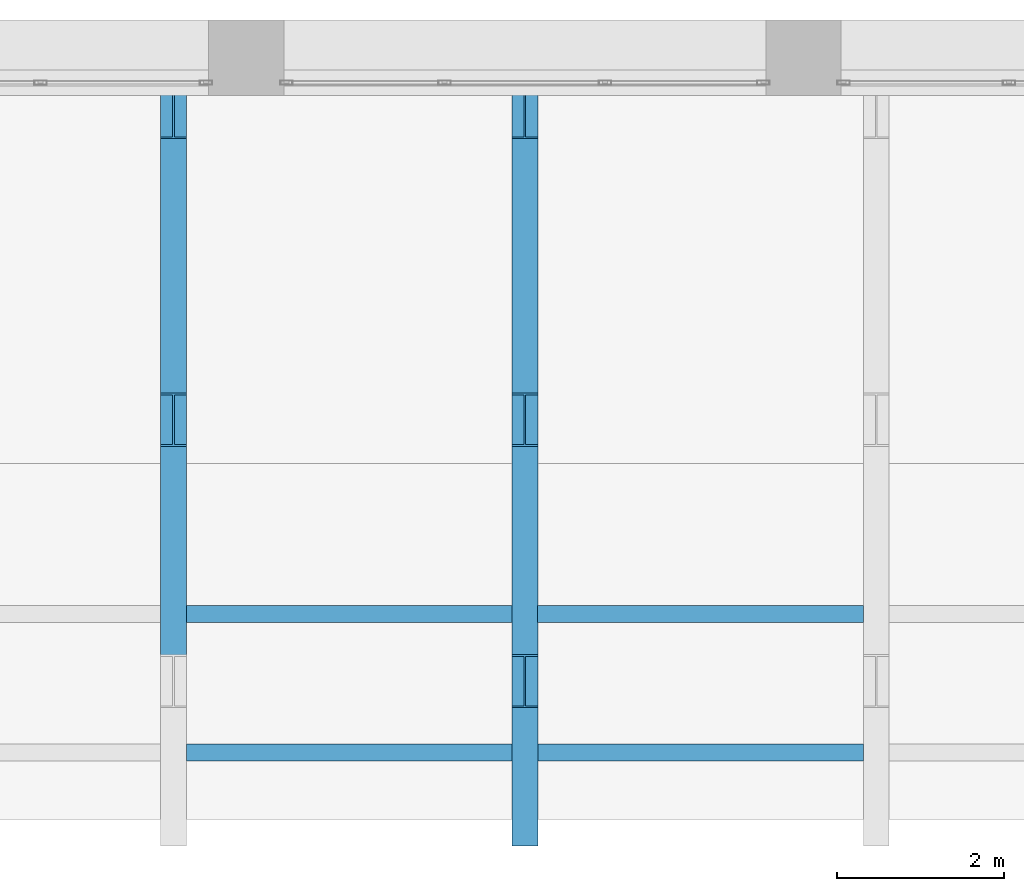
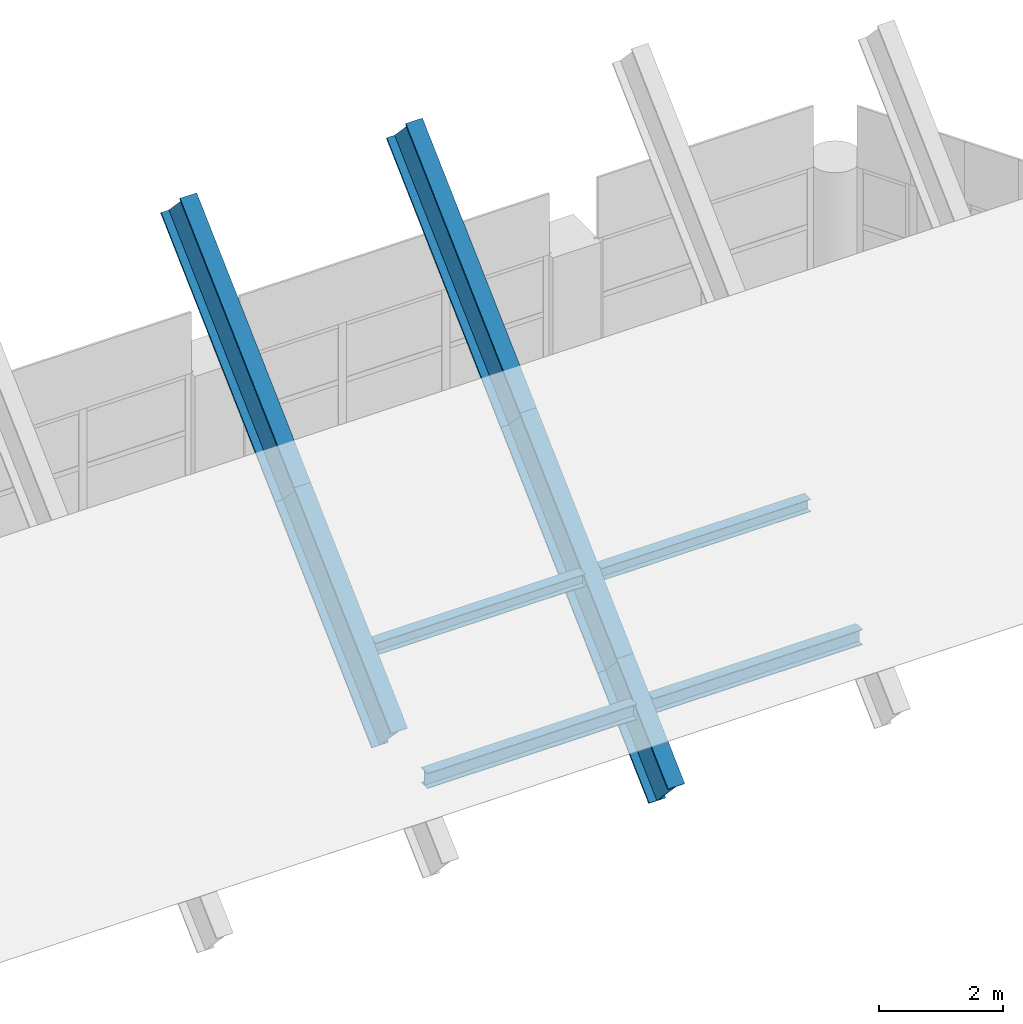
# One storey, part 4 of 11: 9 members.
"""IFC4 building model written with IfcOpenShell, lengths in metres."""

from ifc_helpers import new_model, si_unit, direction, frame, origin, origin_2d, place, context, subcontext, project, spatial, i_section, extrude, material, material_profile, profile_set, type_object, element, save


model = new_model("IFC4")

# Units and contexts
model_context = context("Model", 3, precision=1e-05, world=origin(), true_north=direction((0.0, 1.0)))
body_context = subcontext(model_context, "Body", "Model", "MODEL_VIEW")
ifc_project = project(units=[si_unit("LENGTHUNIT", "METRE"), si_unit("AREAUNIT", "SQUARE_METRE"), si_unit("VOLUMEUNIT", "CUBIC_METRE"), si_unit("PLANEANGLEUNIT", "RADIAN"), si_unit("MASSUNIT", "GRAM", prefix="KILO")], contexts=[model_context])

# Site, building, storey
site_placement = place(None, origin())
site = spatial("IfcSite", under=ifc_project, at=site_placement, CompositionType="ELEMENT")
building_placement = place(site_placement, origin())
building = spatial("IfcBuilding", under=site, at=building_placement, Name="Ostrander Bayou Hotel Tower", CompositionType="ELEMENT")
storey_placement = place(building_placement, frame((0.0, 0.0, 297.5)))
storey = spatial("IfcBuildingStorey", under=building, at=storey_placement, Name="Roof 73", CompositionType="ELEMENT", Elevation=297.5)

# Members
ifc_material_1 = material(Name="Steel ASTM A992", Category="steel")
ifc_material_profile_1 = material_profile(ifc_material_1, i_section(OverallWidth=0.2021484375, OverallDepth=0.2470703125, WebThickness=0.00732421875, FlangeThickness=0.010986328125, at=origin_2d()))
ifc_profile_set_1 = profile_set([ifc_material_profile_1], Name="Steel ASTM A992")
member_type_1 = type_object("IfcMemberType", Name="CP2 crown purlin W10x33", PredefinedType="PURLIN", material=ifc_profile_set_1)
for number, where, z_axis, x_axis, name in (
    (1, (-4.046142578125, 10.199951171875, 1.845703125), (1.0, 0.0, 0.0), (0.0, 1.0, 0.0), "CP2 P2-21"),
    (2, (0.15380859375, 10.199951171875, 1.845703125), (1.0, 0.0, 0.0), (0.0, 1.0, 0.0), "CP2 P3-32"),
):
    element("IfcMember", number, at=place(storey_placement, frame(where, z_axis=z_axis, x_axis=x_axis)), inside=storey, type_object=member_type_1, Name=name, PredefinedType="PURLIN", context=body_context, shape_type="SweptSolid", body=[
        extrude(i_section(OverallWidth=0.2021484375, OverallDepth=0.2470703125, WebThickness=0.00732421875, FlangeThickness=0.010986328125, at=origin_2d()), origin(), (0.0, 0.0, 1.0), 3.892333984375),
    ])
ifc_material_2 = material(Name="Steel ASTM A992", Category="steel")
ifc_material_profile_2 = material_profile(ifc_material_2, i_section(OverallWidth=0.203369140625, OverallDepth=0.30322265625, WebThickness=0.007568359375, FlangeThickness=0.01318359375, at=origin_2d()))
ifc_profile_set_2 = profile_set([ifc_material_profile_2], Name="Steel ASTM A992")
member_type_2 = type_object("IfcMemberType", Name="CP3 crown purlin W12x40", PredefinedType="PURLIN", material=ifc_profile_set_2)
for number, where, z_axis, x_axis, name in (
    (3, (-4.046142578125, 8.544921875, 0.2587890625), (1.0, 0.0, 0.0), (0.0, 1.0, 0.0), "CP3 P2-20"),
    (4, (0.15380859375, 8.544921875, 0.2587890625), (1.0, 0.0, 0.0), (0.0, 1.0, 0.0), "CP3 P3-31"),
):
    element("IfcMember", number, at=place(storey_placement, frame(where, z_axis=z_axis, x_axis=x_axis)), inside=storey, type_object=member_type_2, Name=name, PredefinedType="PURLIN", context=body_context, shape_type="SweptSolid", body=[
        extrude(i_section(OverallWidth=0.203369140625, OverallDepth=0.30322265625, WebThickness=0.007568359375, FlangeThickness=0.01318359375, at=origin_2d()), origin(), (0.0, 0.0, 1.0), 3.892333984375),
    ])
ifc_material_3 = material(Name="Steel ASTM A992", Category="steel")
ifc_material_profile_3 = material_profile(ifc_material_3, i_section(OverallWidth=0.307861328125, OverallDepth=0.9267578125, WebThickness=0.01953125, FlangeThickness=0.031982421875, at=origin_2d()))
ifc_profile_set_3 = profile_set([ifc_material_profile_3], Name="Steel ASTM A992")
member_type_3 = type_object("IfcMemberType", Name="CR1 crown rafter W36x194", PredefinedType="RAFTER", material=ifc_profile_set_3)
member_1_placement = place(storey_placement, frame((-4.199951171875, 9.39990234375, 0.5791015625), z_axis=(0.0, 0.72796598037, 0.685613252078), x_axis=(-1.0, 0.0, 0.0)))
element("IfcMember", 5, at=member_1_placement, inside=storey, type_object=member_type_3, Name="CR1 R2-8", PredefinedType="RAFTER", context=body_context, shape_type="SweptSolid", body=[
    extrude(i_section(OverallWidth=0.307861328125, OverallDepth=0.9267578125, WebThickness=0.01953125, FlangeThickness=0.031982421875, at=origin_2d()), origin(), (0.0, 0.0, 1.0), 4.288818359375),
])
member_2_placement = place(storey_placement, frame((-4.199951171875, 12.52197265625, 3.51953125), z_axis=(0.0, 0.727930412157, 0.6856510155), x_axis=(-1.0, 0.0, 0.0)))
element("IfcMember", 6, at=member_2_placement, inside=storey, type_object=member_type_3, Name="CR1 R2-9", PredefinedType="RAFTER", context=body_context, shape_type="SweptSolid", body=[
    extrude(i_section(OverallWidth=0.307861328125, OverallDepth=0.9267578125, WebThickness=0.01953125, FlangeThickness=0.031982421875, at=origin_2d()), origin(), (0.0, 0.0, 1.0), 5.052734375),
])
member_3_placement = place(storey_placement, frame((0.0, 7.7451171875, -0.979736328125), z_axis=(0.0, 0.727894103039, 0.685689561508), x_axis=(-1.0, 0.0, 0.0)))
element("IfcMember", 7, at=member_3_placement, inside=storey, type_object=member_type_3, Name="CR1 R3-7", PredefinedType="RAFTER", context=body_context, shape_type="SweptSolid", body=[
    extrude(i_section(OverallWidth=0.307861328125, OverallDepth=0.9267578125, WebThickness=0.01953125, FlangeThickness=0.031982421875, at=origin_2d()), origin(), (0.0, 0.0, 1.0), 2.2734375),
])
member_4_placement = place(storey_placement, frame((0.0, 9.39990234375, 0.5791015625), z_axis=(0.0, 0.72796598037, 0.685613252078), x_axis=(-1.0, 0.0, 0.0)))
element("IfcMember", 8, at=member_4_placement, inside=storey, type_object=member_type_3, Name="CR1 R3-8", PredefinedType="RAFTER", context=body_context, shape_type="SweptSolid", body=[
    extrude(i_section(OverallWidth=0.307861328125, OverallDepth=0.9267578125, WebThickness=0.01953125, FlangeThickness=0.031982421875, at=origin_2d()), origin(), (0.0, 0.0, 1.0), 4.288818359375),
])
member_5_placement = place(storey_placement, frame((0.0, 12.52197265625, 3.51953125), z_axis=(0.0, 0.727930412157, 0.6856510155), x_axis=(-1.0, 0.0, 0.0)))
element("IfcMember", 9, at=member_5_placement, inside=storey, type_object=member_type_3, Name="CR1 R3-9", PredefinedType="RAFTER", context=body_context, shape_type="SweptSolid", body=[
    extrude(i_section(OverallWidth=0.307861328125, OverallDepth=0.9267578125, WebThickness=0.01953125, FlangeThickness=0.031982421875, at=origin_2d()), origin(), (0.0, 0.0, 1.0), 5.052734375),
])

save(model, "model.ifc")
